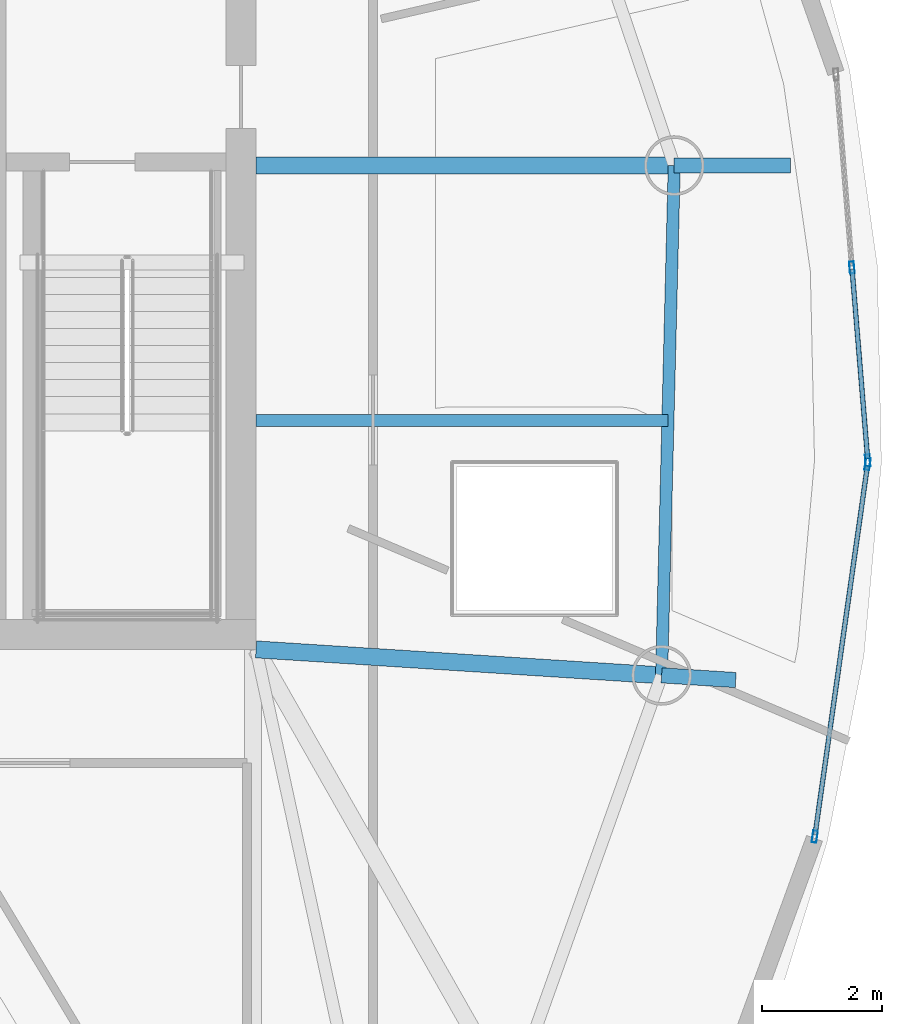
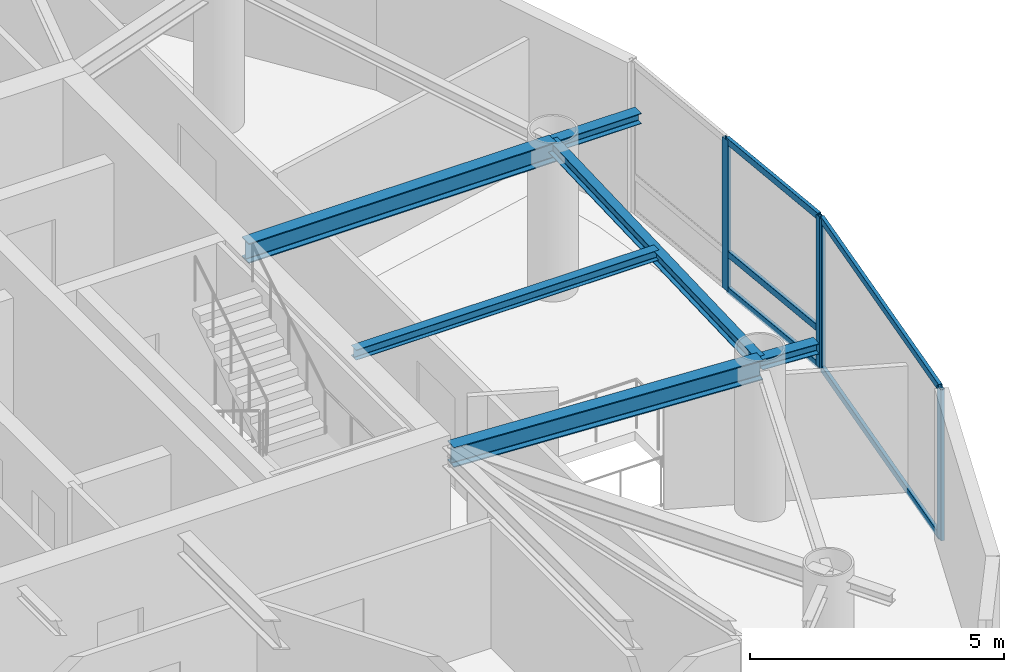
# One storey, part 7 of 20: 9 members, 6 beams, 2 elements without a shape of their own.
"""IFC4 building model written with IfcOpenShell, lengths in metres."""

from ifc_helpers import new_model, si_unit, direction, frame, origin, origin_2d, place, context, subcontext, project, spatial, hollow_rectangle, i_section, extrude, material, layer, layer_set, material_profile, profile_set, type_object, element, aggregate, save


model = new_model("IFC4")

# Units and contexts
model_context = context("Model", 3, precision=1e-05, world=origin(), true_north=direction((0.0, 1.0)))
body_context = subcontext(model_context, "Body", "Model", "MODEL_VIEW")
ifc_project = project(units=[si_unit("LENGTHUNIT", "METRE"), si_unit("AREAUNIT", "SQUARE_METRE"), si_unit("VOLUMEUNIT", "CUBIC_METRE"), si_unit("PLANEANGLEUNIT", "RADIAN"), si_unit("MASSUNIT", "GRAM", prefix="KILO")], contexts=[model_context])

# Site, building, storey
site_placement = place(None, origin())
site = spatial("IfcSite", under=ifc_project, at=site_placement, CompositionType="ELEMENT")
building_placement = place(site_placement, origin())
building = spatial("IfcBuilding", under=site, at=building_placement, Name="Bramvorn Convention Spire", CompositionType="ELEMENT")
storey_placement = place(building_placement, frame((0.0, 0.0, 284.39990234375)))
storey = spatial("IfcBuildingStorey", under=building, at=storey_placement, Name="L72", CompositionType="ELEMENT", Elevation=284.39990234375)

# Beams
ifc_material_1 = material(Name="Steel CSA G40.21 Grade 350 (350W)", Category="steel")
ifc_material_profile_1 = material_profile(ifc_material_1, i_section(OverallWidth=0.201904296875, OverallDepth=0.2470703125, WebThickness=0.00732421875, FlangeThickness=0.010986328125, FilletRadius=0.011962890625, at=origin_2d()))
ifc_profile_set_1 = profile_set([ifc_material_profile_1], Name="Steel CSA G40.21 Grade 350 (350W) - W250X49")
beam_type_1 = type_object("IfcBeamType", Name="BM-W250X49", PredefinedType="JOIST", material=ifc_profile_set_1)
beam_1_placement = place(storey_placement, frame((49.25, 22.373046875, 3.501708984375), z_axis=(1.0, 0.0, 0.0), x_axis=(0.0, 1.0, 0.0)))
element("IfcBeam", 1, at=beam_1_placement, inside=storey, type_object=beam_type_1, Name="L72 composite floor joist 03", PredefinedType="JOIST", context=body_context, shape_type="SweptSolid", body=[
    extrude(i_section(OverallWidth=0.201904296875, OverallDepth=0.2470703125, WebThickness=0.00732421875, FlangeThickness=0.010986328125, FilletRadius=0.011962890625, at=origin_2d()), origin(), (0.0, 0.0, 1.0), 6.879150390625),
])
ifc_material_profile_2 = material_profile(ifc_material_1, i_section(OverallWidth=0.25390625, OverallDepth=0.2529296875, WebThickness=0.008544921875, FlangeThickness=0.01416015625, FilletRadius=0.011962890625, at=origin_2d()))
ifc_profile_set_2 = profile_set([ifc_material_profile_2], Name="Steel CSA G40.21 Grade 350 (350W) - W250X73")
beam_type_2 = type_object("IfcBeamType", Name="BM-W250X73", PredefinedType="BEAM", material=ifc_profile_set_2)
beam_2_placement = place(storey_placement, frame((56.023681640625, 18.116455078125, 3.49853515625), z_axis=(0.997964287792, -0.063775232593, 0.0), x_axis=(0.063775232593, 0.997964287792, 0.0)))
element("IfcBeam", 2, at=beam_2_placement, inside=storey, type_object=beam_type_2, Name="L72 slab-edge cantilever tip beam MC03", PredefinedType="BEAM", context=body_context, shape_type="SweptSolid", body=[
    extrude(i_section(OverallWidth=0.25390625, OverallDepth=0.2529296875, WebThickness=0.008544921875, FlangeThickness=0.01416015625, FilletRadius=0.011962890625, at=origin_2d()), origin(), (0.0, 0.0, 1.0), 1.240234375),
])
beam_3_placement = place(storey_placement, frame((56.234619140625, 26.62939453125, 3.49853515625), z_axis=(1.0, 0.0, 0.0), x_axis=(0.0, 1.0, 0.0)))
element("IfcBeam", 3, at=beam_3_placement, inside=storey, type_object=beam_type_2, Name="L72 slab-edge cantilever tip beam MC04", PredefinedType="BEAM", context=body_context, shape_type="SweptSolid", body=[
    extrude(i_section(OverallWidth=0.25390625, OverallDepth=0.2529296875, WebThickness=0.008544921875, FlangeThickness=0.01416015625, FilletRadius=0.011962890625, at=origin_2d()), origin(), (0.0, 0.0, 1.0), 1.942138671875),
])
ifc_material_profile_3 = material_profile(ifc_material_1, i_section(OverallWidth=0.202880859375, OverallDepth=0.302978515625, WebThickness=0.007568359375, FlangeThickness=0.01318359375, FilletRadius=0.013916015625, at=origin_2d()))
ifc_profile_set_3 = profile_set([ifc_material_profile_3], Name="Steel CSA G40.21 Grade 350 (350W) - W310X60")
beam_type_3 = type_object("IfcBeamType", Name="BM-W310X60", PredefinedType="JOIST", material=ifc_profile_set_3)
beam_4_placement = place(storey_placement, frame((56.023681640625, 18.116455078125, 3.4736328125), z_axis=(0.024770853371, 0.999693155335, 0.0), x_axis=(-0.999693155335, 0.024770853371, 0.0)))
element("IfcBeam", 4, at=beam_4_placement, inside=storey, type_object=beam_type_3, Name="L72 mega-column ring beam 03", PredefinedType="JOIST", context=body_context, shape_type="SweptSolid", body=[
    extrude(i_section(OverallWidth=0.202880859375, OverallDepth=0.302978515625, WebThickness=0.007568359375, FlangeThickness=0.01318359375, FilletRadius=0.013916015625, at=origin_2d()), origin(), (0.0, 0.0, 1.0), 8.515625),
])
ifc_material_profile_4 = material_profile(ifc_material_1, i_section(OverallWidth=0.283935546875, OverallDepth=0.47607421875, WebThickness=0.014892578125, FlangeThickness=0.02392578125, FilletRadius=0.01806640625, at=origin_2d()))
ifc_profile_set_4 = profile_set([ifc_material_profile_4], Name="Steel CSA G40.21 Grade 350 (350W) - W460X158")
beam_type_4 = type_object("IfcBeamType", Name="BM-W460X158", PredefinedType="SPANDREL", material=ifc_profile_set_4)
beam_5_placement = place(storey_placement, frame((49.25, 18.550048828125, 3.38720703125), z_axis=(0.997957536354, -0.063880792379, 0.0), x_axis=(0.063880792379, 0.997957536354, 0.0)))
element("IfcBeam", 5, at=beam_5_placement, inside=storey, type_object=beam_type_4, Name="L72 radial floor girder MC03", PredefinedType="SPANDREL", context=body_context, shape_type="SweptSolid", body=[
    extrude(i_section(OverallWidth=0.283935546875, OverallDepth=0.47607421875, WebThickness=0.014892578125, FlangeThickness=0.02392578125, FilletRadius=0.01806640625, at=origin_2d()), origin(), (0.0, 0.0, 1.0), 6.78759765625),
])
beam_6_placement = place(storey_placement, frame((49.25, 26.62939453125, 3.38720703125), z_axis=(1.0, 0.0, 0.0), x_axis=(0.0, 1.0, 0.0)))
element("IfcBeam", 6, at=beam_6_placement, inside=storey, type_object=beam_type_4, Name="L72 radial floor girder MC04", PredefinedType="SPANDREL", context=body_context, shape_type="SweptSolid", body=[
    extrude(i_section(OverallWidth=0.283935546875, OverallDepth=0.47607421875, WebThickness=0.014892578125, FlangeThickness=0.02392578125, FilletRadius=0.01806640625, at=origin_2d()), origin(), (0.0, 0.0, 1.0), 6.984619140625),
])

# Curtain wall, members
ifc_material_2 = material(Name="Anodised Bronze Unitised Curtain Wall", Category="aluminium")
ifc_layer = layer(ifc_material_2, 0.179931640625)
ifc_layer_set = layer_set([ifc_layer], Name="Anodised Bronze Unitised Curtain Wall - CW-OFF-FRIT")
curtain_wall_type = type_object("IfcCurtainWallType", Name="CW-OFF-FRIT", PredefinedType="USERDEFINED", material=ifc_layer_set)
curtain_wall_1_placement = place(storey_placement, origin())
curtain_wall_1 = element("IfcCurtainWall", 7, at=curtain_wall_1_placement, inside=storey, type_object=curtain_wall_type, Name="L72 fritted glass curtain wall 04", ObjectType="UNITISED CURTAIN WALL", PredefinedType="USERDEFINED")
ifc_material_3 = material(Name="Anodised Bronze Aluminium 6063-T6", Category="aluminium")
ifc_material_profile_5 = material_profile(ifc_material_3, hollow_rectangle(XDim=0.080078125, YDim=0.199951171875, WallThickness=0.00390625, InnerFilletRadius=0.0009765625, OuterFilletRadius=0.00390625, at=origin_2d()))
ifc_profile_set_5 = profile_set([ifc_material_profile_5], Name="Anodised Bronze Aluminium 6063-T6 - CWM80X200")
member_type_1 = type_object("IfcMemberType", Name="CW-MUL-180", PredefinedType="MULLION", material=ifc_profile_set_5)
member_1_placement = place(storey_placement, frame((59.46533203125, 21.6455078125, 0.0), z_axis=(0.0, 0.0, 1.0), x_axis=(0.990076431349, -0.140529925952, 0.0)))
member_1 = element("IfcMember", 8, at=member_1_placement, type_object=member_type_1, Name="CW3 mullion 1", PredefinedType="MULLION", context=body_context, shape_type="SweptSolid", body=[
    extrude(hollow_rectangle(XDim=0.080078125, YDim=0.199951171875, WallThickness=0.00390625, InnerFilletRadius=0.0009765625, OuterFilletRadius=0.00390625, at=origin_2d()), origin(), (0.0, 0.0, 1.0), 3.625),
])
member_2_placement = place(storey_placement, frame((58.58203125, 15.422607421875, 0.0), z_axis=(0.0, 0.0, 1.0), x_axis=(0.990076431349, -0.140529925952, 0.0)))
member_2 = element("IfcMember", 9, at=member_2_placement, type_object=member_type_1, Name="CW3 mullion 2", PredefinedType="MULLION", context=body_context, shape_type="SweptSolid", body=[
    extrude(hollow_rectangle(XDim=0.080078125, YDim=0.199951171875, WallThickness=0.00390625, InnerFilletRadius=0.0009765625, OuterFilletRadius=0.00390625, at=origin_2d()), origin(), (0.0, 0.0, 1.0), 3.625),
])

curtain_wall_2_placement = place(storey_placement, origin())
curtain_wall_2 = element("IfcCurtainWall", 10, at=curtain_wall_2_placement, inside=storey, type_object=curtain_wall_type, Name="L72 fritted glass curtain wall 05", ObjectType="UNITISED CURTAIN WALL", PredefinedType="USERDEFINED")
member_3_placement = place(storey_placement, frame((59.20263671875, 24.927490234375, 0.0), z_axis=(0.0, 0.0, 1.0), x_axis=(0.996648024612, 0.081809015619, 0.0)))
member_3 = element("IfcMember", 11, at=member_3_placement, type_object=member_type_1, Name="CW3 mullion 2", PredefinedType="MULLION", context=body_context, shape_type="SweptSolid", body=[
    extrude(hollow_rectangle(XDim=0.080078125, YDim=0.199951171875, WallThickness=0.00390625, InnerFilletRadius=0.0009765625, OuterFilletRadius=0.00390625, at=origin_2d()), origin(), (0.0, 0.0, 1.0), 3.625),
])
member_4_placement = place(storey_placement, frame((59.467041015625, 21.705078125, 0.0), z_axis=(0.0, 0.0, 1.0), x_axis=(0.996648024612, 0.081809015619, 0.0)))
member_4 = element("IfcMember", 12, at=member_4_placement, type_object=member_type_1, Name="CW3 mullion 3", PredefinedType="MULLION", context=body_context, shape_type="SweptSolid", body=[
    extrude(hollow_rectangle(XDim=0.080078125, YDim=0.199951171875, WallThickness=0.00390625, InnerFilletRadius=0.0009765625, OuterFilletRadius=0.00390625, at=origin_2d()), origin(), (0.0, 0.0, 1.0), 3.625),
])

# Member
ifc_material_profile_6 = material_profile(ifc_material_3, hollow_rectangle(XDim=0.080078125, YDim=0.159912109375, WallThickness=0.00390625, InnerFilletRadius=0.0009765625, OuterFilletRadius=0.00390625, at=origin_2d()))
ifc_profile_set_6 = profile_set([ifc_material_profile_6], Name="Anodised Bronze Aluminium 6063-T6 - CWT80X160")
member_type_2 = type_object("IfcMemberType", Name="CW-TRN-150", PredefinedType="USERDEFINED", material=ifc_profile_set_6)
member_5_placement = place(storey_placement, frame((59.461181640625, 21.615966796875, 0.030029296875), z_axis=(-0.140553821324, -0.990073039382, 0.0), x_axis=(0.990073039382, -0.140553821324, 0.0)))
member_5 = element("IfcMember", 13, at=member_5_placement, type_object=member_type_2, Name="CW3 transom 1.1", ObjectType="TRANSOM", PredefinedType="USERDEFINED", context=body_context, shape_type="SweptSolid", body=[
    extrude(hollow_rectangle(XDim=0.080078125, YDim=0.159912109375, WallThickness=0.00390625, InnerFilletRadius=0.0009765625, OuterFilletRadius=0.00390625, at=origin_2d()), origin(), (0.0, 0.0, 1.0), 6.225341796875),
])

member_6_placement = place(storey_placement, frame((59.461181640625, 21.615966796875, 3.59521484375), z_axis=(-0.140553821324, -0.990073039382, 0.0), x_axis=(0.990073039382, -0.140553821324, 0.0)))
member_6 = element("IfcMember", 14, at=member_6_placement, type_object=member_type_2, Name="CW3 transom 1.2", ObjectType="TRANSOM", PredefinedType="USERDEFINED", context=body_context, shape_type="SweptSolid", body=[
    extrude(hollow_rectangle(XDim=0.080078125, YDim=0.159912109375, WallThickness=0.00390625, InnerFilletRadius=0.0009765625, OuterFilletRadius=0.00390625, at=origin_2d()), origin(), (0.0, 0.0, 1.0), 6.225341796875),
])

aggregate(curtain_wall_1, [member_1, member_2, member_5, member_6])

member_7_placement = place(storey_placement, frame((59.205078125, 24.8974609375, 0.030029296875), z_axis=(0.081790969245, -0.996649505769, 0.0), x_axis=(0.996649505769, 0.081790969245, 0.0)))
member_7 = element("IfcMember", 15, at=member_7_placement, type_object=member_type_2, Name="CW3 transom 2.1", ObjectType="TRANSOM", PredefinedType="USERDEFINED", context=body_context, shape_type="SweptSolid", body=[
    extrude(hollow_rectangle(XDim=0.080078125, YDim=0.159912109375, WallThickness=0.00390625, InnerFilletRadius=0.0009765625, OuterFilletRadius=0.00390625, at=origin_2d()), origin(), (0.0, 0.0, 1.0), 3.173095703125),
])

member_8_placement = place(storey_placement, frame((59.205078125, 24.8974609375, 0.900146484375), z_axis=(0.081790969245, -0.996649505769, 0.0), x_axis=(0.996649505769, 0.081790969245, 0.0)))
member_8 = element("IfcMember", 16, at=member_8_placement, type_object=member_type_2, Name="CW3 transom 2.2", ObjectType="TRANSOM", PredefinedType="USERDEFINED", context=body_context, shape_type="SweptSolid", body=[
    extrude(hollow_rectangle(XDim=0.080078125, YDim=0.159912109375, WallThickness=0.00390625, InnerFilletRadius=0.0009765625, OuterFilletRadius=0.00390625, at=origin_2d()), origin(), (0.0, 0.0, 1.0), 3.173095703125),
])

member_9_placement = place(storey_placement, frame((59.205078125, 24.8974609375, 3.59521484375), z_axis=(0.081790969245, -0.996649505769, 0.0), x_axis=(0.996649505769, 0.081790969245, 0.0)))
member_9 = element("IfcMember", 17, at=member_9_placement, type_object=member_type_2, Name="CW3 transom 2.3", ObjectType="TRANSOM", PredefinedType="USERDEFINED", context=body_context, shape_type="SweptSolid", body=[
    extrude(hollow_rectangle(XDim=0.080078125, YDim=0.159912109375, WallThickness=0.00390625, InnerFilletRadius=0.0009765625, OuterFilletRadius=0.00390625, at=origin_2d()), origin(), (0.0, 0.0, 1.0), 3.173095703125),
])

aggregate(curtain_wall_2, [member_3, member_4, member_7, member_8, member_9])

save(model, "model.ifc")
